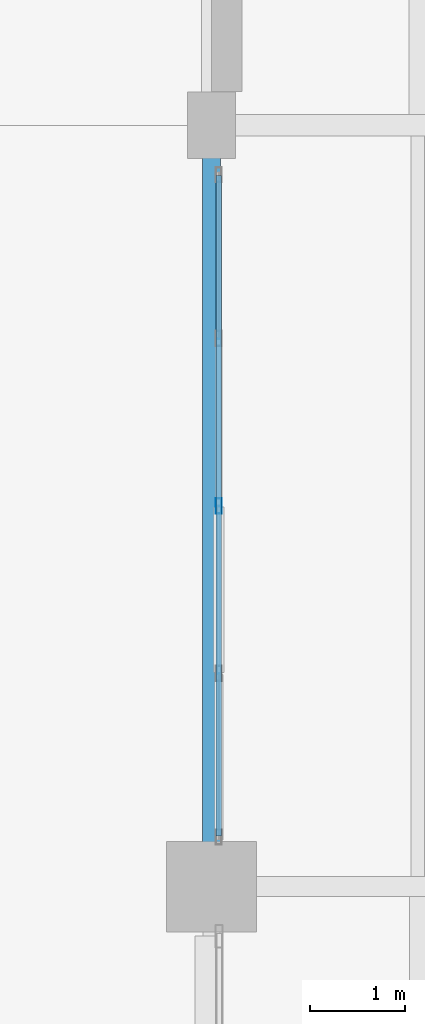
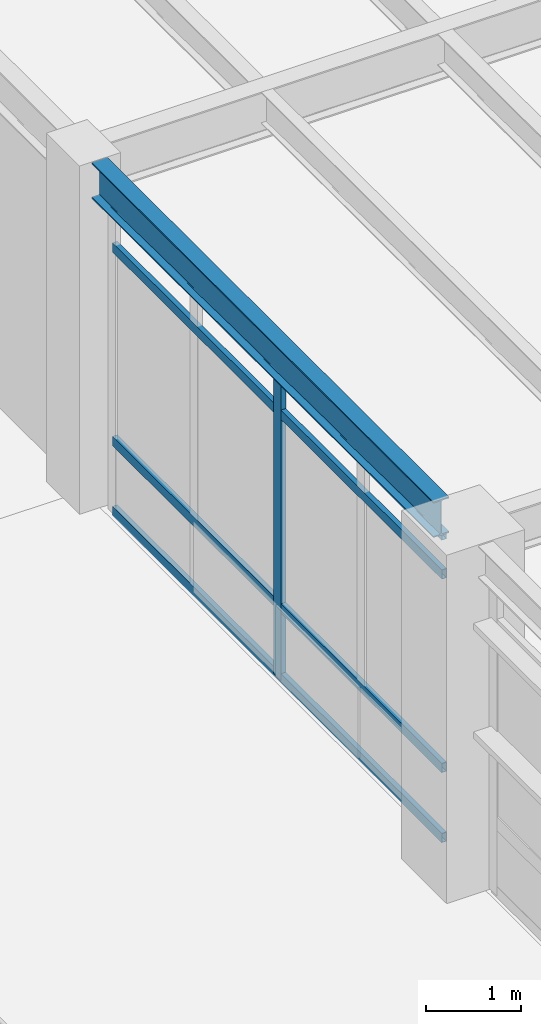
# One storey, part 31 of 200: 5 members, 1 beam, 1 element without a shape of its own.
"""IFC4 building model written with IfcOpenShell, lengths in metres."""

from ifc_helpers import new_model, si_unit, direction, frame, origin, origin_2d, place, context, subcontext, project, spatial, hollow_rectangle, i_section, extrude, material, material_profile, profile_set, type_object, element, aggregate, save


model = new_model("IFC4")

# Units and contexts
model_context = context("Model", 3, precision=1e-05, world=origin(), true_north=direction((0.0, 1.0)))
body_context = subcontext(model_context, "Body", "Model", "MODEL_VIEW")
ifc_project = project(units=[si_unit("LENGTHUNIT", "METRE"), si_unit("AREAUNIT", "SQUARE_METRE"), si_unit("VOLUMEUNIT", "CUBIC_METRE"), si_unit("PLANEANGLEUNIT", "RADIAN"), si_unit("MASSUNIT", "GRAM", prefix="KILO"), si_unit("THERMODYNAMICTEMPERATUREUNIT", "KELVIN"), si_unit("POWERUNIT", "WATT")], contexts=[model_context])

# Site, building, storey
site_placement = place(None, origin())
site = spatial("IfcSite", under=ifc_project, at=site_placement, CompositionType="ELEMENT")
building_placement = place(site_placement, origin())
building = spatial("IfcBuilding", under=site, at=building_placement, Name="Tepalcoro Natatorium and Aquatics Centre", CompositionType="ELEMENT")
storey_placement = place(building_placement, frame((0.0, 0.0, 5.39990234375)))
storey = spatial("IfcBuildingStorey", under=building, at=storey_placement, Name="L01", CompositionType="ELEMENT", Elevation=5.39990234375)

# Curtain wall, members
ifc_material_1 = material(Name="Bronze-Anodised Extruded Aluminium Alloy EN AW-6063 T6", Category="aluminium")
curtain_wall_type = type_object("IfcCurtainWallType", Name="CW_LEAN_T2_NS", PredefinedType="USERDEFINED", material=ifc_material_1)
curtain_wall_placement = place(storey_placement, origin())
curtain_wall = element("IfcCurtainWall", 1, at=curtain_wall_placement, inside=storey, type_object=curtain_wall_type, Name="V1 L01 W Unitised Curtain Wall Bay 4", ObjectType="FACETED SOLAR GLAZING", PredefinedType="USERDEFINED")
ifc_material_profile_1 = material_profile(ifc_material_1, hollow_rectangle(XDim=0.06005859375, YDim=0.159912109375, WallThickness=0.00390625, at=origin_2d()), Name="AL60X160X4")
ifc_profile_set_1 = profile_set([ifc_material_profile_1], Name="Bronze-Anodised Extruded Aluminium Alloy EN AW-6063 T6")
member_type_1 = type_object("IfcMemberType", Name="CW_MUL_60x160", PredefinedType="MULLION", material=ifc_profile_set_1)
member_1_placement = place(storey_placement, frame((46.576171875, 32.0, 0.02001953125), z_axis=(0.0, 0.0, 1.0), x_axis=(1.0, 0.0, 0.0)))
member_1 = element("IfcMember", 2, at=member_1_placement, type_object=member_type_1, Name="CW_LEAN_T2_NS Curtain Wall Mullion", PredefinedType="MULLION", context=body_context, shape_type="SweptSolid", body=[
    extrude(hollow_rectangle(XDim=0.06005859375, YDim=0.159912109375, WallThickness=0.00390625, at=origin_2d()), origin(), (0.0, 0.0, 1.0), 3.9501953125),
])
ifc_material_profile_2 = material_profile(ifc_material_1, hollow_rectangle(XDim=0.06005859375, YDim=0.1201171875, WallThickness=0.00390625, at=origin_2d()), Name="AL60X120X4")
ifc_profile_set_2 = profile_set([ifc_material_profile_2], Name="Bronze-Anodised Extruded Aluminium Alloy EN AW-6063 T6")
member_type_2 = type_object("IfcMemberType", Name="CW_TRN_60x120", PredefinedType="USERDEFINED", material=ifc_profile_set_2)
member_2_placement = place(storey_placement, frame((46.576171875, 28.530029296875, 0.050048828125), z_axis=(0.0, 1.0, 0.0), x_axis=(-1.0, 0.0, 0.0)))
member_2 = element("IfcMember", 3, at=member_2_placement, type_object=member_type_2, Name="CW_LEAN_T2_NS Curtain Wall Transom", ObjectType="TRANSOM", PredefinedType="USERDEFINED", context=body_context, shape_type="SweptSolid", body=[
    extrude(hollow_rectangle(XDim=0.06005859375, YDim=0.1201171875, WallThickness=0.00390625, at=origin_2d()), origin(), (0.0, 0.0, 1.0), 6.93994140625),
])
member_3_placement = place(storey_placement, frame((46.576171875, 28.530029296875, 0.9501953125), z_axis=(0.0, 1.0, 0.0), x_axis=(-1.0, 0.0, 0.0)))
member_3 = element("IfcMember", 4, at=member_3_placement, type_object=member_type_2, Name="CW_LEAN_T2_NS Curtain Wall Transom", ObjectType="TRANSOM", PredefinedType="USERDEFINED", context=body_context, shape_type="SweptSolid", body=[
    extrude(hollow_rectangle(XDim=0.06005859375, YDim=0.1201171875, WallThickness=0.00390625, at=origin_2d()), origin(), (0.0, 0.0, 1.0), 6.93994140625),
])
member_4_placement = place(storey_placement, frame((46.576171875, 28.530029296875, 3.440185546875), z_axis=(0.0, 1.0, 0.0), x_axis=(-1.0, 0.0, 0.0)))
member_4 = element("IfcMember", 5, at=member_4_placement, type_object=member_type_2, Name="CW_LEAN_T2_NS Curtain Wall Transom", ObjectType="TRANSOM", PredefinedType="USERDEFINED", context=body_context, shape_type="SweptSolid", body=[
    extrude(hollow_rectangle(XDim=0.06005859375, YDim=0.1201171875, WallThickness=0.00390625, at=origin_2d()), origin(), (0.0, 0.0, 1.0), 6.93994140625),
])
member_5_placement = place(storey_placement, frame((46.576171875, 28.530029296875, 3.940185546875), z_axis=(0.0, 1.0, 0.0), x_axis=(-1.0, 0.0, 0.0)))
member_5 = element("IfcMember", 6, at=member_5_placement, type_object=member_type_2, Name="CW_LEAN_T2_NS Curtain Wall Transom", ObjectType="TRANSOM", PredefinedType="USERDEFINED", context=body_context, shape_type="SweptSolid", body=[
    extrude(hollow_rectangle(XDim=0.06005859375, YDim=0.1201171875, WallThickness=0.00390625, at=origin_2d()), origin(), (0.0, 0.0, 1.0), 6.93994140625),
])
aggregate(curtain_wall, [member_1, member_2, member_3, member_4, member_5])

# Beam
ifc_material_2 = material(Name="Steel ASTM A992 Grade 50 (Fy 345 MPa)", Category="steel")
ifc_material_profile_3 = material_profile(ifc_material_2, i_section(OverallWidth=0.19091796875, OverallDepth=0.4599609375, WebThickness=0.010009765625, FlangeThickness=0.01611328125, FilletRadius=0.013916015625, at=origin_2d()), Name="W18X55")
ifc_profile_set_3 = profile_set([ifc_material_profile_3], Name="Steel ASTM A992 Grade 50 (Fy 345 MPa)")
beam_type = type_object("IfcBeamType", Name="SP_W18x55", PredefinedType="SPANDREL", material=ifc_profile_set_3)
beam_placement = place(storey_placement, frame((46.5, 28.4599609375, 4.235107421875), z_axis=(0.0, 1.0, 0.0), x_axis=(-1.0, 0.0, 0.0)))
element("IfcBeam", 7, at=beam_placement, inside=storey, type_object=beam_type, Name="V1 L01 Grid Girder Y", PredefinedType="SPANDREL", context=body_context, shape_type="SweptSolid", body=[
    extrude(i_section(OverallWidth=0.19091796875, OverallDepth=0.4599609375, WebThickness=0.010009765625, FlangeThickness=0.01611328125, FilletRadius=0.013916015625, at=origin_2d()), origin(), (0.0, 0.0, 1.0), 7.205078125),
])

save(model, "model.ifc")
